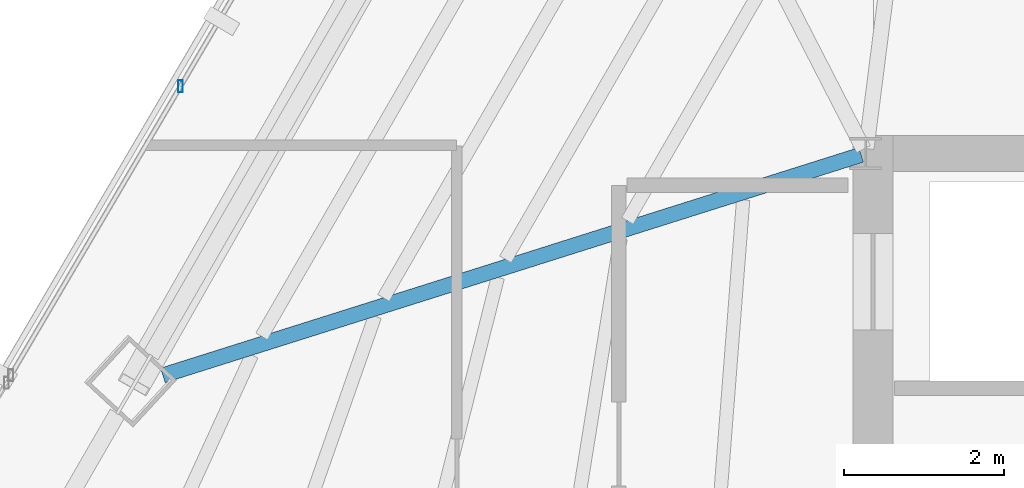
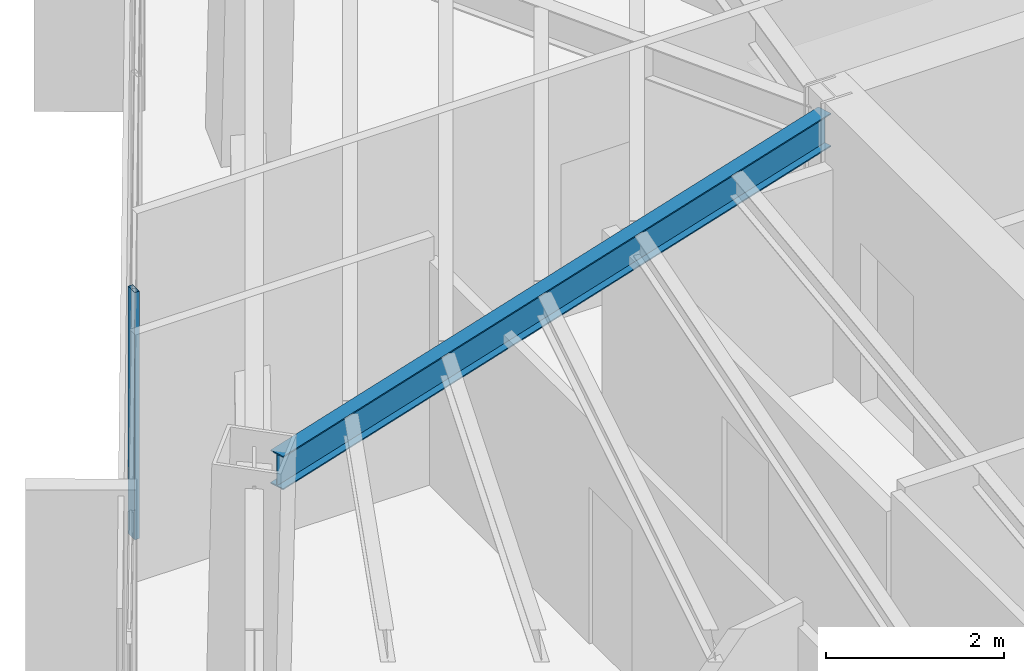
# One storey, part 15 of 42: 1 beam, 1 member, 1 element without a shape of its own.
"""IFC4 building model written with IfcOpenShell, lengths in metres."""

from ifc_helpers import new_model, si_unit, direction, frame, origin, origin_2d, place, context, subcontext, project, spatial, hollow_rectangle, i_section, extrude, source, transform, mapped, material, material_profile, profile_set, type_object, type_shapes, element, aggregate, save


model = new_model("IFC4")

# Units and contexts
model_context = context("Model", 3, precision=1e-05, world=origin(), true_north=direction((0.0, 1.0)))
body_context = subcontext(model_context, "Body", "Model", "MODEL_VIEW")
ifc_project = project(units=[si_unit("LENGTHUNIT", "METRE"), si_unit("AREAUNIT", "SQUARE_METRE"), si_unit("VOLUMEUNIT", "CUBIC_METRE"), si_unit("PLANEANGLEUNIT", "RADIAN"), si_unit("MASSUNIT", "GRAM", prefix="KILO")], contexts=[model_context])

# Site, building, storey
site_placement = place(None, origin())
site = spatial("IfcSite", under=ifc_project, at=site_placement, CompositionType="ELEMENT")
building_placement = place(site_placement, origin())
building = spatial("IfcBuilding", under=site, at=building_placement, Name="Caelisora Broadcast Tower", CompositionType="ELEMENT")
storey_placement = place(building_placement, frame((0.0, 0.0, 187.699951171875)))
storey = spatial("IfcBuildingStorey", under=building, at=storey_placement, Name="L49", CompositionType="ELEMENT", Elevation=187.699951171875)

# Beam
ifc_material_1 = material(Name="Steel Grade 350 (AS/NZS 3679.1)", Category="steel")
ifc_material_profile_1 = material_profile(ifc_material_1, i_section(OverallWidth=0.19091796875, OverallDepth=0.46044921875, WebThickness=0.010009765625, FlangeThickness=0.01611328125, at=origin_2d()), Name="Steel Grade 350 (AS/NZS 3679.1)")
ifc_profile_set_1 = profile_set([ifc_material_profile_1], Name="Steel Grade 350 (AS/NZS 3679.1)")
beam_type = type_object("IfcBeamType", Name="PG06", PredefinedType="BEAM", material=ifc_profile_set_1)
shared_shape_1 = source(origin(), body_context, "Body", "SweptSolid", [
    extrude(i_section(OverallWidth=0.19091796875, OverallDepth=0.46044921875, WebThickness=0.010009765625, FlangeThickness=0.01611328125, at=origin_2d()), origin(), (0.0, 0.0, 1.0), 9.133544921875),
])
type_shapes(beam_type, [shared_shape_1])
beam_placement = place(storey_placement, frame((30.44287109375, 29.98193359375, 3.169921875), z_axis=(-0.95356327218, -0.301192772073, 0.0), x_axis=(0.301192772073, -0.95356327218, 0.0)))
element("IfcBeam", 1, at=beam_placement, inside=storey, type_object=beam_type, Name="L49 beam PG06", PredefinedType="BEAM", context=body_context, shape_type="MappedRepresentation", body=[
    mapped(shared_shape_1, transform((0.0, 0.0, 0.0), scale=1.0)),
])

# Curtain wall, member
ifc_material_2 = material(Name="Unitised Aluminium Insulated Shadow-Box Spandrel Curtain Wall", Category="aluminium")
curtain_wall_type = type_object("IfcCurtainWallType", Name="CW-SP2", PredefinedType="NOTDEFINED", material=ifc_material_2)
curtain_wall_placement = place(storey_placement, origin())
curtain_wall = element("IfcCurtainWall", 2, at=curtain_wall_placement, inside=storey, type_object=curtain_wall_type, Name="L49 curtain wall CW-SP2", PredefinedType="NOTDEFINED")
ifc_material_3 = material(Name="Aluminium 6063-T6 Anodised Terracotta Bronze", Category="aluminium")
ifc_material_profile_2 = material_profile(ifc_material_3, hollow_rectangle(XDim=0.06005859375, YDim=0.14990234375, WallThickness=0.00341796875, at=origin_2d()), Name="Aluminium 6063-T6 Anodised Terracotta Bronze")
ifc_profile_set_2 = profile_set([ifc_material_profile_2], Name="Aluminium 6063-T6 Anodised Terracotta Bronze")
member_type = type_object("IfcMemberType", Name="CWM-03", PredefinedType="MULLION", material=ifc_profile_set_2)
shared_shape_2 = source(origin(), body_context, "Body", "SweptSolid", [
    extrude(hollow_rectangle(XDim=0.06005859375, YDim=0.14990234375, WallThickness=0.00341796875, at=origin_2d()), origin(), (0.0, 0.0, 1.0), 3.400146484375),
])
type_shapes(member_type, [shared_shape_2])
member_placement = place(storey_placement, frame((21.952880859375, 30.8349609375, 0.0), z_axis=(0.0, 0.0, 1.0), x_axis=(1.0, 0.0, 0.0)))
member = element("IfcMember", 3, at=member_placement, type_object=member_type, Name="L49-CW-B10 mullion #1", PredefinedType="MULLION", context=body_context, shape_type="MappedRepresentation", body=[
    mapped(shared_shape_2, transform((0.0, 0.0, 0.0), scale=1.0)),
])
aggregate(curtain_wall, [member])

save(model, "model.ifc")
